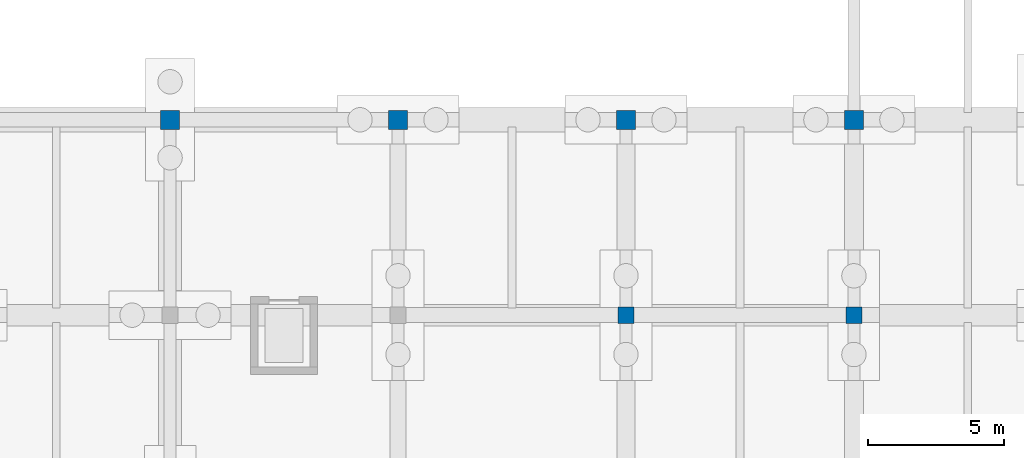
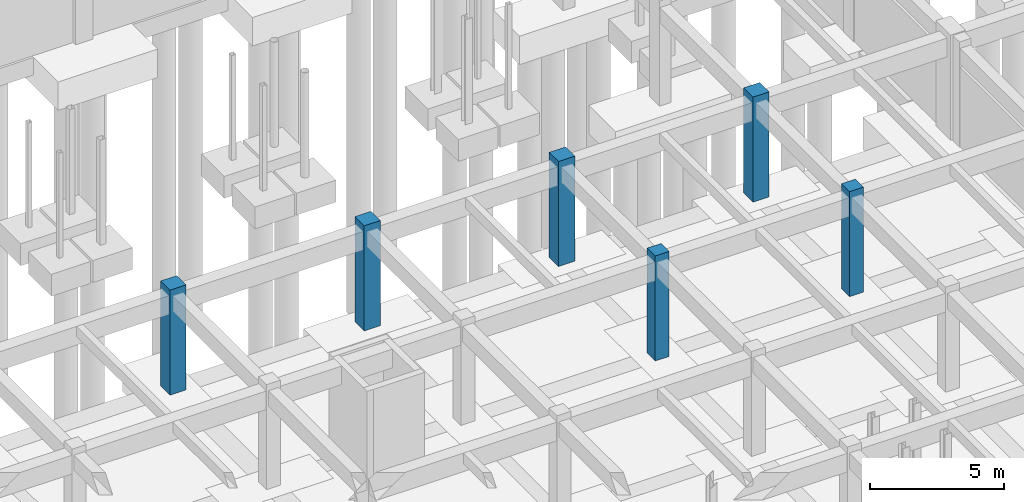
# One storey, part 37 of 80: 6 columns.
"""IFC4 building model written with IfcOpenShell, lengths in metres."""

from ifc_helpers import new_model, si_unit, direction, frame, origin, origin_2d, place, context, subcontext, project, spatial, rectangle, extrude, material, material_profile, profile_set, type_object, element, save


model = new_model("IFC4")

# Units and contexts
model_context = context("Model", 3, precision=1e-05, world=origin(), true_north=direction((0.0, 1.0)))
body_context = subcontext(model_context, "Body", "Model", "MODEL_VIEW")
ifc_project = project(units=[si_unit("LENGTHUNIT", "METRE"), si_unit("AREAUNIT", "SQUARE_METRE"), si_unit("VOLUMEUNIT", "CUBIC_METRE"), si_unit("PLANEANGLEUNIT", "RADIAN"), si_unit("MASSUNIT", "GRAM", prefix="KILO")], contexts=[model_context])

# Site, building, storey
site_placement = place(None, origin())
site = spatial("IfcSite", under=ifc_project, at=site_placement, CompositionType="ELEMENT")
building_placement = place(site_placement, origin())
building = spatial("IfcBuilding", under=site, at=building_placement, Name="Malvenik Polytechnic", CompositionType="ELEMENT")
storey_placement = place(building_placement, frame((0.0, 0.0, -4.800048828125)))
storey = spatial("IfcBuildingStorey", under=building, at=storey_placement, Name="B1", CompositionType="ELEMENT", Elevation=-4.800048828125)

# Columns
ifc_material_1 = material(Name="Concrete C40/50", Category="concrete")
ifc_material_profile_1 = material_profile(ifc_material_1, rectangle(XDim=0.699951171875, YDim=0.699951171875, at=origin_2d()), Name="RC COL 700x700")
ifc_profile_set_1 = profile_set([ifc_material_profile_1], Name="Concrete C40/50")
column_type_1 = type_object("IfcColumnType", Name="STR-COL-C-04", PredefinedType="COLUMN", material=ifc_profile_set_1)
for number, where, z_axis, x_axis, name in (
    (1, (100.800048828125, 93.60009765625, 0.0), (0.0, 0.0, 1.0), (1.0, 0.0, 0.0), "Column C-04 B1 (100.8,93.6)"),
    (2, (109.199951171875, 93.60009765625, 0.0), (0.0, 0.0, 1.0), (1.0, 0.0, 0.0), "Column C-04 B1 (109.2,93.6)"),
    (3, (117.60009765625, 93.60009765625, 0.0), (0.0, 0.0, 1.0), (1.0, 0.0, 0.0), "Column C-04 B1 (117.6,93.6)"),
    (4, (126.0, 93.60009765625, 0.0), (0.0, 0.0, 1.0), (1.0, 0.0, 0.0), "Column C-04 B1 (126.0,93.6)"),
):
    element("IfcColumn", number, at=place(storey_placement, frame(where, z_axis=z_axis, x_axis=x_axis)), inside=storey, type_object=column_type_1, Name=name, PredefinedType="COLUMN", context=body_context, shape_type="SweptSolid", body=[
        extrude(rectangle(XDim=0.699951171875, YDim=0.699951171875, at=origin_2d()), origin(), (0.0, 0.0, 1.0), 4.800048828125),
    ])
ifc_material_2 = material(Name="Concrete C35/45", Category="concrete")
ifc_material_profile_2 = material_profile(ifc_material_2, rectangle(XDim=0.60009765625, YDim=0.60009765625, at=origin_2d()), Name="RC COL 600x600")
ifc_profile_set_2 = profile_set([ifc_material_profile_2], Name="Concrete C35/45")
column_type_2 = type_object("IfcColumnType", Name="STR-COL-C-06", PredefinedType="COLUMN", material=ifc_profile_set_2)
for number, where, z_axis, x_axis, name in (
    (5, (117.60009765625, 86.39990234375, 0.0), (0.0, 0.0, 1.0), (1.0, 0.0, 0.0), "Column C-06 B1 (117.6,86.4)"),
    (6, (126.0, 86.39990234375, 0.0), (0.0, 0.0, 1.0), (1.0, 0.0, 0.0), "Column C-06 B1 (126.0,86.4)"),
):
    element("IfcColumn", number, at=place(storey_placement, frame(where, z_axis=z_axis, x_axis=x_axis)), inside=storey, type_object=column_type_2, Name=name, PredefinedType="COLUMN", context=body_context, shape_type="SweptSolid", body=[
        extrude(rectangle(XDim=0.60009765625, YDim=0.60009765625, at=origin_2d()), origin(), (0.0, 0.0, 1.0), 4.800048828125),
    ])

save(model, "model.ifc")
